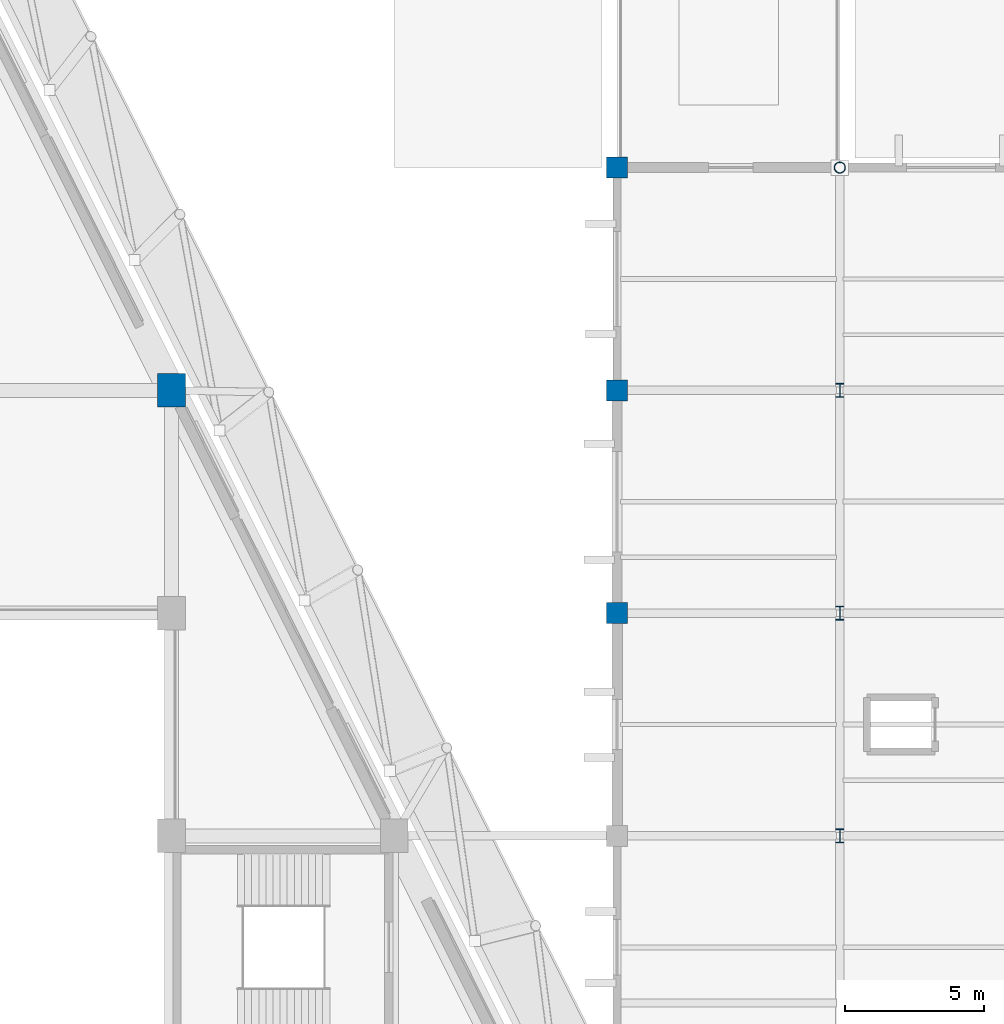
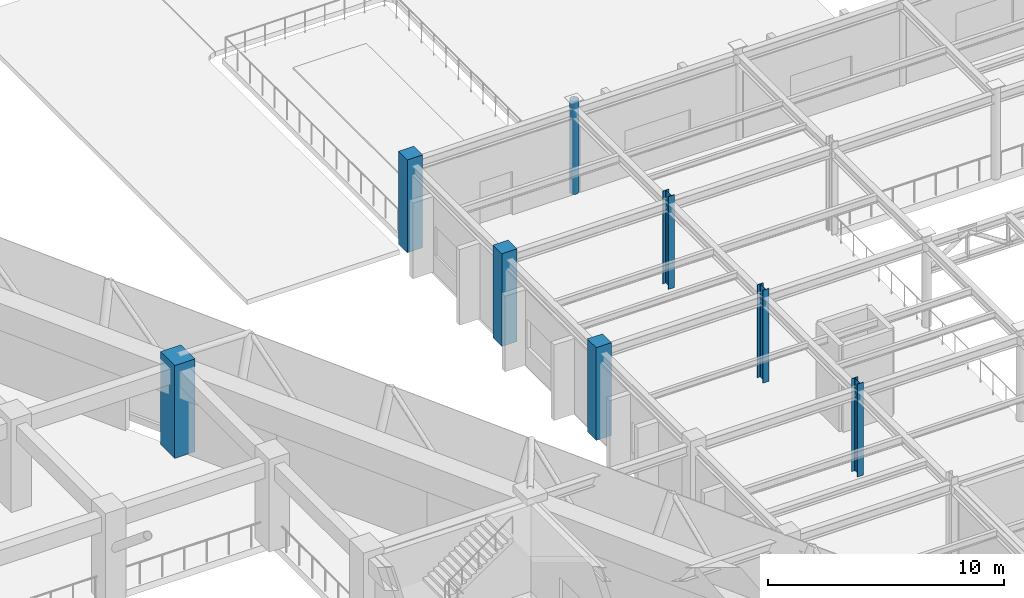
# One storey, part 4 of 46: 8 columns.
"""IFC4 building model written with IfcOpenShell, lengths in metres."""

from ifc_helpers import new_model, si_unit, direction, frame, origin, origin_2d, place, context, subcontext, project, spatial, rectangle, hollow_circle, i_section, extrude, material, material_profile, profile_set, type_object, element, save


model = new_model("IFC4")

# Units and contexts
model_context = context("Model", 3, precision=1e-05, world=origin(), true_north=direction((0.0, 1.0)))
body_context = subcontext(model_context, "Body", "Model", "MODEL_VIEW")
ifc_project = project(units=[si_unit("LENGTHUNIT", "METRE"), si_unit("AREAUNIT", "SQUARE_METRE"), si_unit("VOLUMEUNIT", "CUBIC_METRE"), si_unit("PLANEANGLEUNIT", "RADIAN"), si_unit("MASSUNIT", "GRAM", prefix="KILO")], contexts=[model_context])

# Site, building, storey
site_placement = place(None, origin())
site = spatial("IfcSite", under=ifc_project, at=site_placement, CompositionType="ELEMENT")
building_placement = place(site_placement, origin())
building = spatial("IfcBuilding", under=site, at=building_placement, Name="Tazarka Park Arena", CompositionType="ELEMENT")
storey_placement = place(building_placement, frame((0.0, 0.0, 10.199951171875)))
storey = spatial("IfcBuildingStorey", under=building, at=storey_placement, Name="L02", CompositionType="ELEMENT", Elevation=10.199951171875)

# Columns
ifc_material_1 = material(Name="Concrete C40/50", Category="concrete")
ifc_material_profile_1 = material_profile(ifc_material_1, rectangle(XDim=0.75, YDim=0.75, at=origin_2d()), Name="Concrete C40/50")
ifc_profile_set_1 = profile_set([ifc_material_profile_1], Name="Concrete C40/50")
column_type_1 = type_object("IfcColumnType", Name="COL-C-06", PredefinedType="COLUMN", material=ifc_profile_set_1)
for number, where, z_axis, x_axis, name in (
    (1, (136.0, 88.0, 0.0), (0.0, 0.0, 1.0), (1.0, 0.0, 0.0), "CLM-L02-17-11"),
    (2, (136.0, 96.0, 0.0), (0.0, 0.0, 1.0), (1.0, 0.0, 0.0), "CLM-L02-17-12"),
    (3, (136.0, 104.0, 0.0), (0.0, 0.0, 1.0), (1.0, 0.0, 0.0), "CLM-L02-17-13"),
):
    element("IfcColumn", number, at=place(storey_placement, frame(where, z_axis=z_axis, x_axis=x_axis)), inside=storey, type_object=column_type_1, Name=name, PredefinedType="COLUMN", context=body_context, shape_type="SweptSolid", body=[
        extrude(rectangle(XDim=0.75, YDim=0.75, at=origin_2d()), origin(), (0.0, 0.0, 1.0), 4.800048828125),
    ])
ifc_material_2 = material(Name="Concrete C50/60", Category="concrete")
ifc_material_profile_2 = material_profile(ifc_material_2, rectangle(XDim=1.0, YDim=1.199951171875, at=origin_2d()), Name="Concrete C50/60")
ifc_profile_set_2 = profile_set([ifc_material_profile_2], Name="Concrete C50/60")
column_type_2 = type_object("IfcColumnType", Name="COL-C-07", PredefinedType="COLUMN", material=ifc_profile_set_2)
column_1_placement = place(storey_placement, frame((120.0, 96.0, 0.0), z_axis=(0.0, 0.0, 1.0), x_axis=(1.0, 0.0, 0.0)))
element("IfcColumn", 4, at=column_1_placement, inside=storey, type_object=column_type_2, Name="CLM-L02-15-12", PredefinedType="COLUMN", context=body_context, shape_type="SweptSolid", body=[
    extrude(rectangle(XDim=1.0, YDim=1.199951171875, at=origin_2d()), origin(), (0.0, 0.0, 1.0), 4.800048828125),
])
ifc_material_3 = material(Name="Steel S355", Category="steel")
ifc_material_profile_3 = material_profile(ifc_material_3, i_section(OverallWidth=0.300048828125, OverallDepth=0.5, WebThickness=0.014404296875, FlangeThickness=0.028076171875, FilletRadius=0.027099609375, at=origin_2d()), Name="Steel S355")
ifc_profile_set_3 = profile_set([ifc_material_profile_3], Name="Steel S355")
column_type_3 = type_object("IfcColumnType", Name="COL-SC-02", PredefinedType="COLUMN", material=ifc_profile_set_3)
for number, where, z_axis, x_axis, name in (
    (5, (144.0, 80.0, 0.0), (0.0, 0.0, 1.0), (1.0, 0.0, 0.0), "CLM-L02-18-10"),
    (6, (144.0, 88.0, 0.0), (0.0, 0.0, 1.0), (1.0, 0.0, 0.0), "CLM-L02-18-11"),
    (7, (144.0, 96.0, 0.0), (0.0, 0.0, 1.0), (1.0, 0.0, 0.0), "CLM-L02-18-12"),
):
    element("IfcColumn", number, at=place(storey_placement, frame(where, z_axis=z_axis, x_axis=x_axis)), inside=storey, type_object=column_type_3, Name=name, PredefinedType="COLUMN", context=body_context, shape_type="SweptSolid", body=[
        extrude(i_section(OverallWidth=0.300048828125, OverallDepth=0.5, WebThickness=0.014404296875, FlangeThickness=0.028076171875, FilletRadius=0.027099609375, at=origin_2d()), origin(), (0.0, 0.0, 1.0), 4.800048828125),
    ])
ifc_material_4 = material(Name="Steel S355", Category="steel")
ifc_material_profile_4 = material_profile(ifc_material_4, hollow_circle(Radius=0.203125, WallThickness=0.02001953125, at=origin_2d()), Name="Steel S355")
ifc_profile_set_4 = profile_set([ifc_material_profile_4], Name="Steel S355")
column_type_4 = type_object("IfcColumnType", Name="COL-SC-04", PredefinedType="COLUMN", material=ifc_profile_set_4)
column_2_placement = place(storey_placement, frame((144.0, 104.0, 0.0), z_axis=(0.0, 0.0, 1.0), x_axis=(1.0, 0.0, 0.0)))
element("IfcColumn", 8, at=column_2_placement, inside=storey, type_object=column_type_4, Name="CLM-L02-18-13", PredefinedType="COLUMN", context=body_context, shape_type="SweptSolid", body=[
    extrude(hollow_circle(Radius=0.203125, WallThickness=0.02001953125, at=origin_2d()), origin(), (0.0, 0.0, 1.0), 4.800048828125),
])

save(model, "model.ifc")
